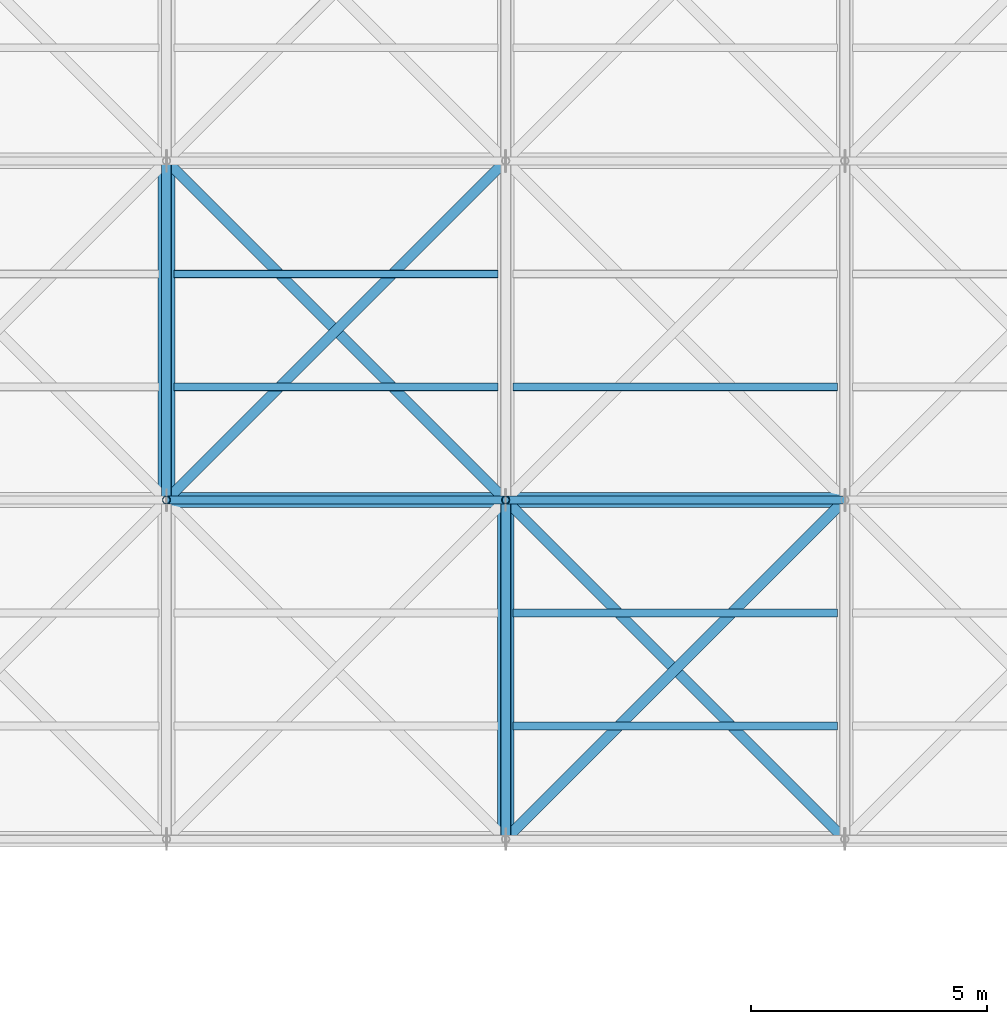
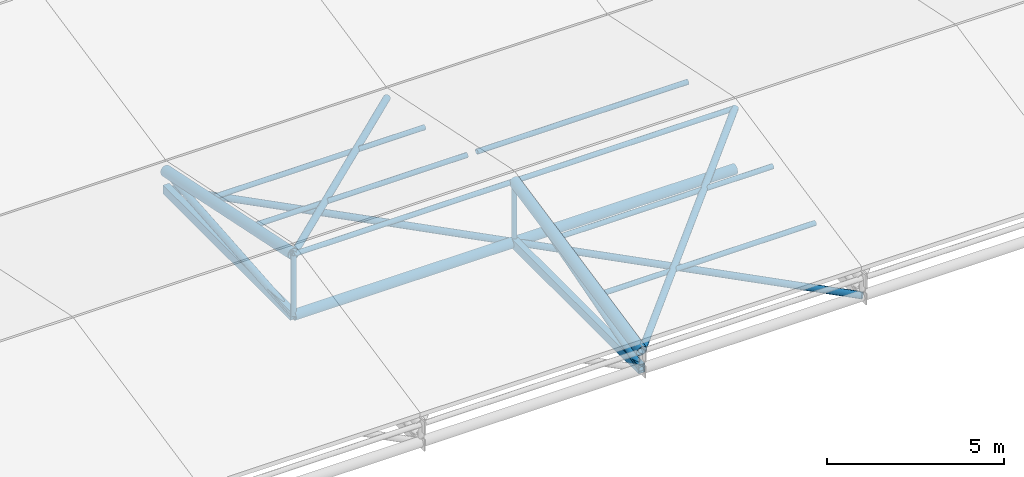
# One storey, part 27 of 72: 17 members, 4 beams.
"""IFC4 building model written with IfcOpenShell, lengths in metres."""

from ifc_helpers import new_model, si_unit, direction, frame, origin, origin_2d, place, context, subcontext, project, spatial, hollow_rectangle, hollow_circle, extrude, material, material_profile, profile_set, type_object, element, save


model = new_model("IFC4")

# Units and contexts
model_context = context("Model", 3, precision=1e-05, world=origin(), true_north=direction((0.0, 1.0)))
body_context = subcontext(model_context, "Body", "Model", "MODEL_VIEW")
ifc_project = project(units=[si_unit("LENGTHUNIT", "METRE"), si_unit("AREAUNIT", "SQUARE_METRE"), si_unit("VOLUMEUNIT", "CUBIC_METRE"), si_unit("PLANEANGLEUNIT", "RADIAN"), si_unit("MASSUNIT", "GRAM", prefix="KILO")], contexts=[model_context])

# Site, building, storey
site_placement = place(None, origin())
site = spatial("IfcSite", under=ifc_project, at=site_placement, CompositionType="ELEMENT")
building_placement = place(site_placement, origin())
building = spatial("IfcBuilding", under=site, at=building_placement, Name="Vaelcorin Mobility Hub", CompositionType="ELEMENT")
storey_placement = place(building_placement, frame((0.0, 0.0, 25.800048828125)))
storey = spatial("IfcBuildingStorey", under=building, at=storey_placement, Name="RF", CompositionType="ELEMENT", Elevation=25.800048828125)

# Members
ifc_material = material(Name="Steel ASTM A500 Grade C", Category="steel")
ifc_material_profile_1 = material_profile(ifc_material, hollow_circle(Radius=0.161865234375, WallThickness=0.0126953125, at=origin_2d()), Name="HSS12.750X0.500")
ifc_profile_set_1 = profile_set([ifc_material_profile_1], Name="Steel ASTM A500 Grade C")
member_type_1 = type_object("IfcMemberType", Name="SF-CHORD-12", PredefinedType="CHORD", material=ifc_profile_set_1)
for number, where, z_axis, x_axis, name in (
    (1, (72.0, 91.199951171875, -2.10009765625), (1.0, 0.0, 0.0), (0.0, 1.0, 0.0), "Sports Truss Lower Tie Strut 6-1"),
    (2, (79.199951171875, 91.199951171875, -2.10009765625), (1.0, 0.0, 0.0), (0.0, 1.0, 0.0), "Sports Truss Lower Tie Strut 7-1"),
):
    element("IfcMember", number, at=place(storey_placement, frame(where, z_axis=z_axis, x_axis=x_axis)), inside=storey, type_object=member_type_1, Name=name, PredefinedType="CHORD", context=body_context, shape_type="SweptSolid", body=[
        extrude(hollow_circle(Radius=0.161865234375, WallThickness=0.0126953125, at=origin_2d()), origin(), (0.0, 0.0, 1.0), 7.199951171875),
    ])
ifc_material_profile_2 = material_profile(ifc_material, hollow_circle(Radius=0.109619140625, WallThickness=0.009521484375, at=origin_2d()), Name="HSS8.625X0.375")
ifc_profile_set_2 = profile_set([ifc_material_profile_2], Name="Steel ASTM A500 Grade C")
member_type_2 = type_object("IfcMemberType", Name="SF-DIAG-8", PredefinedType="BRACE", material=ifc_profile_set_2)
member_1_placement = place(storey_placement, frame((72.0, 91.199951171875, 0.0), z_axis=(0.699556744026, 0.699556744026, -0.145741976715), x_axis=(-0.707106781187, 0.707106781187, 0.0)))
element("IfcMember", 3, at=member_1_placement, inside=storey, type_object=member_type_2, Name="Sports Roof Space-Truss Plan Brace 6-2", PredefinedType="BRACE", context=body_context, shape_type="SweptSolid", body=[
    extrude(hollow_circle(Radius=0.109619140625, WallThickness=0.009521484375, at=origin_2d()), origin(), (0.0, 0.0, 1.0), 10.292236328125),
])
member_2_placement = place(storey_placement, frame((79.199951171875, 91.199951171875, -2.10009765625), z_axis=(-0.707106781187, 0.707106781187, 0.0), x_axis=(-0.707106781187, -0.707106781187, 0.0)))
element("IfcMember", 4, at=member_2_placement, inside=storey, type_object=member_type_2, Name="Sports Truss Lower Plan Brace 6-2", PredefinedType="BRACE", context=body_context, shape_type="SweptSolid", body=[
    extrude(hollow_circle(Radius=0.109619140625, WallThickness=0.009521484375, at=origin_2d()), origin(), (0.0, 0.0, 1.0), 10.182373046875),
])
member_3_placement = place(storey_placement, frame((79.199951171875, 84.0, -1.5), z_axis=(0.699556744026, 0.699556744026, 0.145741976715), x_axis=(-0.707106781187, 0.707106781187, 0.0)))
element("IfcMember", 5, at=member_3_placement, inside=storey, type_object=member_type_2, Name="Sports Roof Space-Truss Plan Brace 7-1", PredefinedType="BRACE", context=body_context, shape_type="SweptSolid", body=[
    extrude(hollow_circle(Radius=0.109619140625, WallThickness=0.009521484375, at=origin_2d()), origin(), (0.0, 0.0, 1.0), 10.292236328125),
])
member_4_placement = place(storey_placement, frame((86.39990234375, 84.0, -2.10009765625), z_axis=(-0.707106781187, 0.707106781187, 0.0), x_axis=(-0.707106781187, -0.707106781187, 0.0)))
element("IfcMember", 6, at=member_4_placement, inside=storey, type_object=member_type_2, Name="Sports Truss Lower Plan Brace 7-1", PredefinedType="BRACE", context=body_context, shape_type="SweptSolid", body=[
    extrude(hollow_circle(Radius=0.109619140625, WallThickness=0.009521484375, at=origin_2d()), origin(), (0.0, 0.0, 1.0), 10.182373046875),
])
ifc_material_profile_3 = material_profile(ifc_material, hollow_circle(Radius=0.084228515625, WallThickness=0.0078125, at=origin_2d()), Name="HSS6.625X0.312")
ifc_profile_set_3 = profile_set([ifc_material_profile_3], Name="Steel ASTM A500 Grade C")
member_type_3 = type_object("IfcMemberType", Name="SF-PURL-6", PredefinedType="PURLIN", material=ifc_profile_set_3)
member_5_placement = place(storey_placement, frame((72.0, 91.199951171875, 0.0), z_axis=(1.0, 0.0, 0.0), x_axis=(0.0, 1.0, 0.0)))
element("IfcMember", 7, at=member_5_placement, inside=storey, type_object=member_type_3, Name="Sports Pavilion Roof Purlin 6-1", PredefinedType="PURLIN", context=body_context, shape_type="SweptSolid", body=[
    extrude(hollow_circle(Radius=0.084228515625, WallThickness=0.0078125, at=origin_2d()), origin(), (0.0, 0.0, 1.0), 7.199951171875),
])
for number, where, z_axis, x_axis, name in (
    (8, (72.159912109375, 93.60009765625, -0.5), (1.0, 0.0, 0.0), (0.0, 1.0, 0.0), "Sports Roof Secondary Purlin 6-2-1"),
    (9, (72.159912109375, 96.0, -1.0), (1.0, 0.0, 0.0), (0.0, 1.0, 0.0), "Sports Roof Secondary Purlin 6-2-2"),
):
    element("IfcMember", number, at=place(storey_placement, frame(where, z_axis=z_axis, x_axis=x_axis)), inside=storey, type_object=member_type_3, Name=name, PredefinedType="PURLIN", context=body_context, shape_type="SweptSolid", body=[
        extrude(hollow_circle(Radius=0.084228515625, WallThickness=0.0078125, at=origin_2d()), origin(), (0.0, 0.0, 1.0), 6.880126953125),
    ])
member_6_placement = place(storey_placement, frame((79.199951171875, 91.199951171875, 0.0), z_axis=(1.0, 0.0, 0.0), x_axis=(0.0, 1.0, 0.0)))
element("IfcMember", 10, at=member_6_placement, inside=storey, type_object=member_type_3, Name="Sports Pavilion Roof Purlin 7-1", PredefinedType="PURLIN", context=body_context, shape_type="SweptSolid", body=[
    extrude(hollow_circle(Radius=0.084228515625, WallThickness=0.0078125, at=origin_2d()), origin(), (0.0, 0.0, 1.0), 7.199951171875),
])
for number, where, z_axis, x_axis, name in (
    (11, (79.360107421875, 86.39990234375, -1.0), (1.0, 0.0, 0.0), (0.0, 1.0, 0.0), "Sports Roof Secondary Purlin 7-1-1"),
    (12, (79.360107421875, 88.800048828125, -0.5), (1.0, 0.0, 0.0), (0.0, 1.0, 0.0), "Sports Roof Secondary Purlin 7-1-2"),
    (13, (79.360107421875, 93.60009765625, -0.5), (1.0, 0.0, 0.0), (0.0, 1.0, 0.0), "Sports Roof Secondary Purlin 7-2-1"),
):
    element("IfcMember", number, at=place(storey_placement, frame(where, z_axis=z_axis, x_axis=x_axis)), inside=storey, type_object=member_type_3, Name=name, PredefinedType="PURLIN", context=body_context, shape_type="SweptSolid", body=[
        extrude(hollow_circle(Radius=0.084228515625, WallThickness=0.0078125, at=origin_2d()), origin(), (0.0, 0.0, 1.0), 6.8798828125),
    ])

# Beams
ifc_material_profile_4 = material_profile(ifc_material, hollow_circle(Radius=0.177734375, WallThickness=0.0126953125, at=origin_2d()), Name="HSS14.000X0.500")
ifc_profile_set_4 = profile_set([ifc_material_profile_4], Name="Steel ASTM A500 Grade C")
beam_type_1 = type_object("IfcBeamType", Name="TR-CHORD-14", PredefinedType="BEAM", material=ifc_profile_set_4)
for number, where, z_axis, x_axis, name in (
    (14, (72.0, 91.199951171875, 0.0), (0.0, 0.978980143565, -0.203955579738), (-1.0, 0.0, 0.0), "Sports Pavilion Roof Truss Upper Chord 5-2"),
    (15, (79.199951171875, 84.0, -1.5), (0.0, 0.978980143565, 0.203955579738), (-1.0, 0.0, 0.0), "Sports Pavilion Roof Truss Upper Chord 6-1"),
):
    element("IfcBeam", number, at=place(storey_placement, frame(where, z_axis=z_axis, x_axis=x_axis)), inside=storey, type_object=beam_type_1, Name=name, PredefinedType="BEAM", context=body_context, shape_type="SweptSolid", body=[
        extrude(hollow_circle(Radius=0.177734375, WallThickness=0.0126953125, at=origin_2d()), origin(), (0.0, 0.0, 1.0), 7.3544921875),
    ])
ifc_material_profile_5 = material_profile(ifc_material, hollow_rectangle(XDim=0.203125, YDim=0.3046875, WallThickness=0.01171875, at=origin_2d()), Name="HSS12X8X0.500")
ifc_profile_set_5 = profile_set([ifc_material_profile_5], Name="Steel ASTM A500 Grade C")
beam_type_2 = type_object("IfcBeamType", Name="TR-CHORD-RHS12", PredefinedType="BEAM", material=ifc_profile_set_5)
for number, where, z_axis, x_axis, name in (
    (16, (72.0, 91.199951171875, -2.10009765625), (0.0, 1.0, 0.0), (-1.0, 0.0, 0.0), "Sports Pavilion Roof Truss Bottom Chord 5-2"),
    (17, (79.199951171875, 84.0, -2.10009765625), (0.0, 1.0, 0.0), (-1.0, 0.0, 0.0), "Sports Pavilion Roof Truss Bottom Chord 6-1"),
):
    element("IfcBeam", number, at=place(storey_placement, frame(where, z_axis=z_axis, x_axis=x_axis)), inside=storey, type_object=beam_type_2, Name=name, PredefinedType="BEAM", context=body_context, shape_type="SweptSolid", body=[
        extrude(hollow_rectangle(XDim=0.203125, YDim=0.3046875, WallThickness=0.01171875, at=origin_2d()), origin(), (0.0, 0.0, 1.0), 7.199951171875),
    ])

# Members
ifc_material_profile_6 = material_profile(ifc_material, hollow_circle(Radius=0.084228515625, WallThickness=0.0078125, at=origin_2d()), Name="HSS6.625X0.312")
ifc_profile_set_6 = profile_set([ifc_material_profile_6], Name="Steel ASTM A500 Grade C")
member_type_4 = type_object("IfcMemberType", Name="TR-POST-6", PredefinedType="POST", material=ifc_profile_set_6)
for number, where, z_axis, x_axis, name in (
    (18, (72.0, 91.199951171875, -2.10009765625), (0.0, 0.0, 1.0), (1.0, 0.0, 0.0), "Sports Pavilion Roof Truss Post 5-1"),
    (19, (79.199951171875, 91.199951171875, -2.10009765625), (0.0, 0.0, 1.0), (1.0, 0.0, 0.0), "Sports Pavilion Roof Truss Post 6-1"),
):
    element("IfcMember", number, at=place(storey_placement, frame(where, z_axis=z_axis, x_axis=x_axis)), inside=storey, type_object=member_type_4, Name=name, PredefinedType="POST", context=body_context, shape_type="SweptSolid", body=[
        extrude(hollow_circle(Radius=0.084228515625, WallThickness=0.0078125, at=origin_2d()), origin(), (0.0, 0.0, 1.0), 2.10009765625),
    ])
ifc_material_profile_7 = material_profile(ifc_material, hollow_circle(Radius=0.109619140625, WallThickness=0.009521484375, at=origin_2d()), Name="HSS8.625X0.375")
ifc_profile_set_7 = profile_set([ifc_material_profile_7], Name="Steel ASTM A500 Grade C")
member_type_5 = type_object("IfcMemberType", Name="TR-WEB-8", PredefinedType="BRACE", material=ifc_profile_set_7)
member_7_placement = place(storey_placement, frame((72.0, 91.199951171875, -2.10009765625), z_axis=(0.0, 0.996544592923, 0.083059462528), x_axis=(-1.0, 0.0, 0.0)))
element("IfcMember", 20, at=member_7_placement, inside=storey, type_object=member_type_5, Name="Sports Pavilion Roof Truss Diagonal 5-2", PredefinedType="BRACE", context=body_context, shape_type="SweptSolid", body=[
    extrude(hollow_circle(Radius=0.109619140625, WallThickness=0.009521484375, at=origin_2d()), origin(), (0.0, 0.0, 1.0), 7.224853515625),
])
member_8_placement = place(storey_placement, frame((79.199951171875, 84.0, -2.10009765625), z_axis=(0.0, 0.959995989474, 0.280013750007), x_axis=(-1.0, 0.0, 0.0)))
element("IfcMember", 21, at=member_8_placement, inside=storey, type_object=member_type_5, Name="Sports Pavilion Roof Truss Diagonal 6-1", PredefinedType="BRACE", context=body_context, shape_type="SweptSolid", body=[
    extrude(hollow_circle(Radius=0.109619140625, WallThickness=0.009521484375, at=origin_2d()), origin(), (0.0, 0.0, 1.0), 7.5),
])

save(model, "model.ifc")
